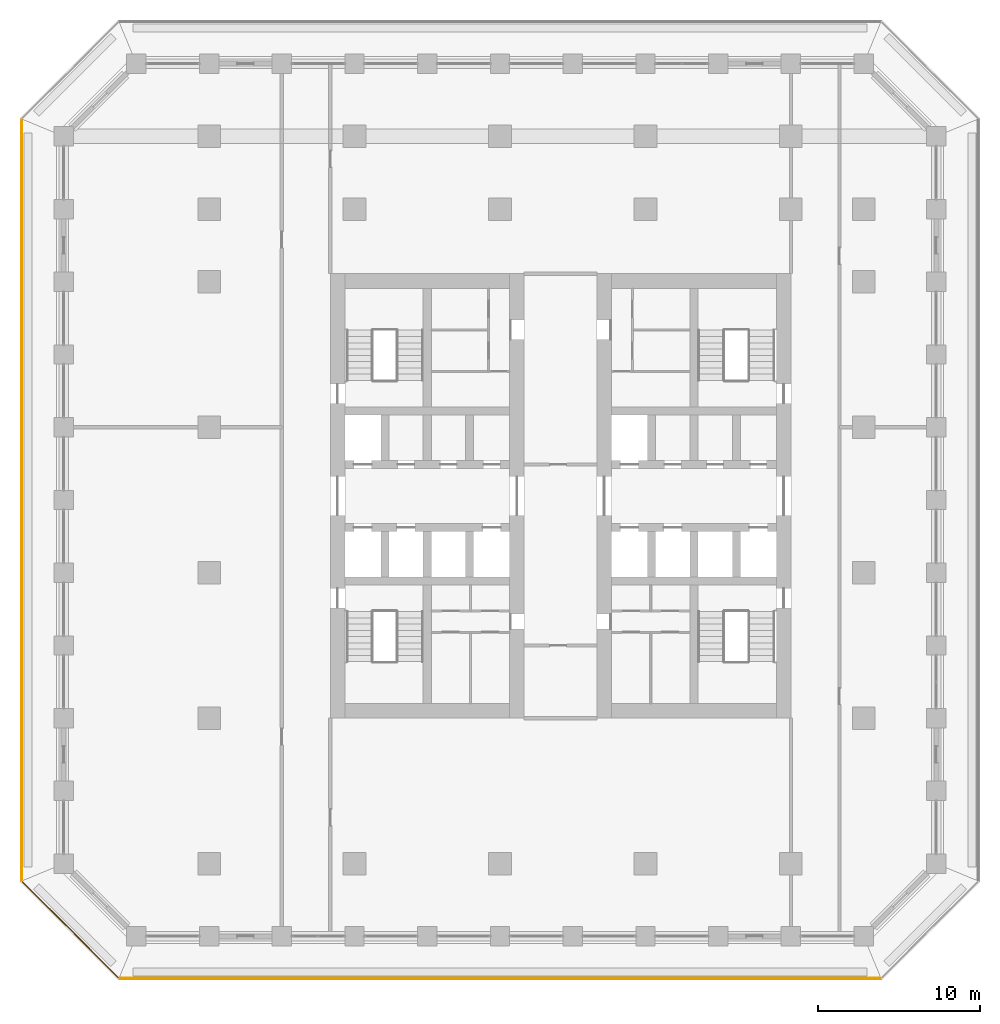
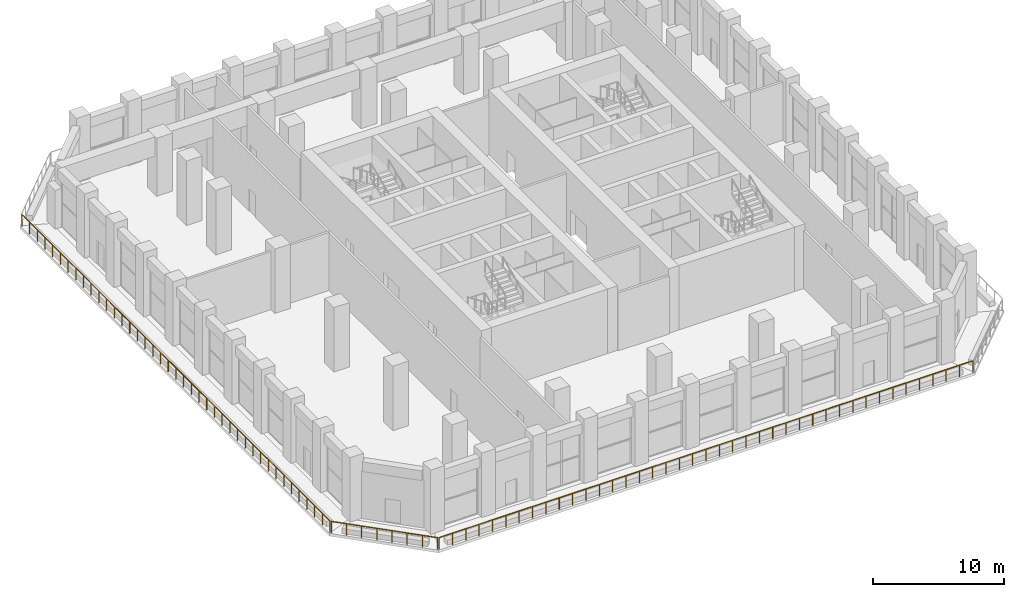
# One storey, part 17 of 24: 3 railings.
"""IFC4 building model written with IfcOpenShell, lengths in metres."""

import ifcopenshell
import ifcopenshell.guid

model = None  # the IFC model being written
_history = None  # IfcOwnerHistory: only IFC2X3 demands one
_inside = {}  # id of a spatial element -> (the spatial element, [elements in it])
_under = {}  # id of a project, library or spatial element -> (it, [spatial elements below it])
_declared = {}  # id of a project -> (the project, [libraries it declares])
_typed = {}  # id of a type object -> (the type object, [elements of that type])
_made_of = {}  # id of a material, layer set ... -> (it, [elements and type objects made of it])


def new_model(schema):
    """Start an empty IFC model of exactly this schema.

    Asked for "IFC4X3", IfcOpenShell would pick the latest addendum, in which some entities
    have other attributes; the version numbers below select the first issue.
    IFC2X3 requires an IfcOwnerHistory on every rooted entity: one is made here for all.
    """
    global model, _history
    if schema == "IFC4X3":
        model = ifcopenshell.file(schema_version=(4, 3, 0, 0))
    else:
        model = ifcopenshell.file(schema=schema)
    _inside.clear()
    _under.clear()
    _declared.clear()
    _typed.clear()
    _made_of.clear()
    _history = None
    if model.schema == "IFC2X3":
        org = make("IfcOrganization", Name="unknown")
        user = make(
            "IfcPersonAndOrganization",
            ThePerson=make("IfcPerson", FamilyName="unknown"),
            TheOrganization=org,
        )
        app = make(
            "IfcApplication",
            ApplicationDeveloper=org,
            Version="unknown",
            ApplicationFullName="unknown",
            ApplicationIdentifier="unknown",
        )
        _history = make(
            "IfcOwnerHistory",
            OwningUser=user,
            OwningApplication=app,
            ChangeAction="ADDED",
            CreationDate=0,
        )
    return model


def make(cls, **values):
    """One entity of the class cls with the attributes given. An attribute that is None is left unset."""
    return model.create_entity(
        cls, **{name: value for name, value in values.items() if value is not None}
    )


def rooted(cls, **values):
    """An entity with a GlobalId (a new one), such as an element, a storey or a relation."""
    return make(cls, GlobalId=ifcopenshell.guid.new(), OwnerHistory=_history, **values)


def si_unit(unit_type, name, prefix=None):
    """IfcSIUnit, for example si_unit("LENGTHUNIT", "METRE", prefix="MILLI")."""
    return make("IfcSIUnit", UnitType=unit_type, Prefix=prefix, Name=name)


def assignment(units):
    """IfcUnitAssignment: the units of a project."""
    return None if units is None else make("IfcUnitAssignment", Units=units)


def point(xyz):
    """IfcCartesianPoint."""
    return None if xyz is None else make("IfcCartesianPoint", Coordinates=xyz)


def direction(xyz):
    """IfcDirection."""
    return None if xyz is None else make("IfcDirection", DirectionRatios=xyz)


def frame(location, z_axis=None, x_axis=None):
    """IfcAxis2Placement3D, a coordinate frame: its origin and axes. An axis left out is left unset."""
    return make(
        "IfcAxis2Placement3D",
        Location=point(location),
        Axis=direction(z_axis),
        RefDirection=direction(x_axis),
    )


def frame_2d(location, x_axis=None):
    """IfcAxis2Placement2D, a coordinate frame in the plane: its origin and x axis."""
    return make(
        "IfcAxis2Placement2D", Location=point(location), RefDirection=direction(x_axis)
    )


def origin():
    """The frame at (0, 0, 0) with its axes left unset."""
    return frame((0.0, 0.0, 0.0))


def origin_2d():
    """The frame at (0, 0) in the plane with its x axis left unset."""
    return frame_2d((0.0, 0.0))


def place(relative_to, where):
    """IfcLocalPlacement: puts the frame where relative to a parent placement (None: the world)."""
    return make(
        "IfcLocalPlacement", PlacementRelTo=relative_to, RelativePlacement=where
    )


def context(
    kind, dimensions, precision=None, world=None, true_north=None, identifier=None
):
    """IfcGeometricRepresentationContext, for example the 3D "Model" context."""
    return make(
        "IfcGeometricRepresentationContext",
        ContextIdentifier=identifier,
        ContextType=kind,
        CoordinateSpaceDimension=dimensions,
        Precision=precision,
        WorldCoordinateSystem=world,
        TrueNorth=true_north,
    )


def subcontext(parent, identifier, kind, view, scale=None):
    """IfcGeometricRepresentationSubContext, for example "Body" below "Model"."""
    return make(
        "IfcGeometricRepresentationSubContext",
        ContextIdentifier=identifier,
        ContextType=kind,
        ParentContext=parent,
        TargetScale=scale,
        TargetView=view,
    )


def project(units=None, contexts=None):
    """IfcProject with its units and contexts."""
    return rooted(
        "IfcProject",
        Name="project",
        RepresentationContexts=contexts,
        UnitsInContext=assignment(units),
    )


def spatial(cls, under=None, at=None, **own):
    """A site, building, storey or space (cls), placed at a placement, below another one or the project."""
    s = rooted(cls, ObjectPlacement=at, **own)
    if under is not None:
        _under.setdefault(under.id(), (under, []))[1].append(s)
    return s


def profile(cls, at=None, kind="AREA", **sizes):
    """A parametric profile (cls). Its sizes go by their IFC names, for example OverallWidth=200.0."""
    return make(cls, ProfileType=kind, Position=at, **sizes)


def circle(**sizes):
    """IfcCircleProfileDef."""
    return profile("IfcCircleProfileDef", **sizes)


def extrude(swept, where, along, depth):
    """IfcExtrudedAreaSolid: the profile swept, set in the frame where, extruded along a direction by depth."""
    return make(
        "IfcExtrudedAreaSolid",
        SweptArea=swept,
        Position=where,
        ExtrudedDirection=direction(along),
        Depth=depth,
    )


def shape(context_of_items, identifier, shape_type, items):
    """IfcShapeRepresentation: the items that make up one representation, for example the "Body"."""
    return make(
        "IfcShapeRepresentation",
        ContextOfItems=context_of_items,
        RepresentationIdentifier=identifier,
        RepresentationType=shape_type,
        Items=items,
    )


def material(Name=None, Category=None):
    """IfcMaterial."""
    return make("IfcMaterial", Name=Name, Category=Category)


def made_of(thing, what):
    """Note that an element or type object is made of a material, layer set ...; save() writes the relation."""
    if what is not None:
        _made_of.setdefault(what.id(), (what, []))[1].append(thing)
    return thing


def type_object(cls, material=None, **own):
    """A type object (cls), such as IfcWallType, which elements share."""
    return made_of(rooted(cls, **own), material)


def element(
    cls,
    number,
    at=None,
    inside=None,
    cuts=None,
    type_object=None,
    material=None,
    context=None,
    identifier="Body",
    shape_type=None,
    held_by="IfcProductDefinitionShape",
    body=None,
    shapes=None,
    **own,
):
    """One element of the class cls, such as IfcWall. Its Tag is "e" and its number.

    at: its placement. inside: the storey or other place that contains it. cuts: it is an
    opening in that element (IfcRelVoidsElement). A single representation is given by context,
    identifier, shape_type and body (its items); several are given by shapes. held_by: the class
    of the entity that holds the representations. save() writes the other relations.
    """
    e = rooted(cls, Tag="e%d" % number, ObjectPlacement=at, **own)
    if body is not None:
        shapes = [shape(context, identifier, shape_type, body)]
    if shapes is not None:
        e.Representation = make(held_by, Representations=shapes)
    if inside is not None:
        _inside.setdefault(inside.id(), (inside, []))[1].append(e)
    if cuts is not None:
        rooted(
            "IfcRelVoidsElement", RelatingBuildingElement=cuts, RelatedOpeningElement=e
        )
    if type_object is not None:
        _typed.setdefault(type_object.id(), (type_object, []))[1].append(e)
    return made_of(e, material)


def aggregate(whole, parts):
    """IfcRelAggregates: a whole, such as a stair, and the parts it consists of."""
    return rooted("IfcRelAggregates", RelatingObject=whole, RelatedObjects=parts)


def save(model, path):
    """Write the relations noted so far, then the file.

    IfcRelAggregates (storeys below a building ...), IfcRelContainedInSpatialStructure (elements
    in a storey), IfcRelDefinesByType, IfcRelAssociatesMaterial and IfcRelDeclares: one each for
    every whole, place, type object, material and project.
    """
    for whole, parts in _under.values():
        aggregate(whole, parts)
    for where, things in _inside.values():
        rooted(
            "IfcRelContainedInSpatialStructure",
            RelatedElements=things,
            RelatingStructure=where,
        )
    for kind, things in _typed.values():
        rooted("IfcRelDefinesByType", RelatedObjects=things, RelatingType=kind)
    for what, things in _made_of.values():
        rooted("IfcRelAssociatesMaterial", RelatedObjects=things, RelatingMaterial=what)
    for by, libraries in _declared.values():
        rooted("IfcRelDeclares", RelatingContext=by, RelatedDefinitions=libraries)
    model.write(path)


model = new_model("IFC4")

# Units and contexts
model_context = context("Model", 3, precision=1e-05, world=origin(), true_north=direction((0.0, 1.0)))
body_context = subcontext(model_context, "Body", "Model", "MODEL_VIEW")
ifc_project = project(units=[si_unit("LENGTHUNIT", "METRE"), si_unit("AREAUNIT", "SQUARE_METRE"), si_unit("VOLUMEUNIT", "CUBIC_METRE"), si_unit("PLANEANGLEUNIT", "RADIAN"), si_unit("MASSUNIT", "GRAM", prefix="KILO")], contexts=[model_context])

# Site, building, storey
site_placement = place(None, origin())
site = spatial("IfcSite", under=ifc_project, at=site_placement, CompositionType="ELEMENT")
building_placement = place(site_placement, origin())
building = spatial("IfcBuilding", under=site, at=building_placement, Name="Corbel Stack Research Tower", CompositionType="ELEMENT")
storey_placement = place(building_placement, frame((0.0, 0.0, 145.39990234375)))
storey = spatial("IfcBuildingStorey", under=building, at=storey_placement, Name="L33", CompositionType="ELEMENT", Elevation=145.39990234375)

# Railings
ifc_material = material(Name="Powder-coated steel guard", Category="steel")
railing_type = type_object("IfcRailingType", Name="Steel and glass guard 1100", PredefinedType="GUARDRAIL", material=ifc_material)
railing_1_placement = place(storey_placement, frame((-23.50537109375, -25.10009765625, 0.0)))
element("IfcRailing", 1, at=railing_1_placement, inside=storey, type_object=railing_type, Name="Loggia guard L33 S", PredefinedType="GUARDRAIL", context=body_context, shape_type="SweptSolid", body=[
    extrude(circle(Radius=0.02392578125, at=origin_2d()), frame((0.0, 0.0, 1.076171875), z_axis=(1.0, 0.0, 0.0), x_axis=(0.0, 1.0, 0.0)), (0.0, 0.0, 1.0), 47.0107421875),
    extrude(circle(Radius=0.02099609375, at=origin_2d()), origin(), (0.0, 0.0, 1.0), 1.052001953125),
    extrude(circle(Radius=0.02099609375, at=origin_2d()), frame((1.17529296875, 0.0, 0.0)), (0.0, 0.0, 1.0), 1.052001953125),
    extrude(circle(Radius=0.02099609375, at=origin_2d()), frame((2.3505859375, 0.0, 0.0)), (0.0, 0.0, 1.0), 1.052001953125),
    extrude(circle(Radius=0.02099609375, at=origin_2d()), frame((3.52587890625, 0.0, 0.0)), (0.0, 0.0, 1.0), 1.052001953125),
    extrude(circle(Radius=0.02099609375, at=origin_2d()), frame((4.701171875, 0.0, 0.0)), (0.0, 0.0, 1.0), 1.052001953125),
    extrude(circle(Radius=0.02099609375, at=origin_2d()), frame((5.87646484375, 0.0, 0.0)), (0.0, 0.0, 1.0), 1.052001953125),
    extrude(circle(Radius=0.02099609375, at=origin_2d()), frame((7.051513671875, 0.0, 0.0)), (0.0, 0.0, 1.0), 1.052001953125),
    extrude(circle(Radius=0.02099609375, at=origin_2d()), frame((8.226806640625, 0.0, 0.0)), (0.0, 0.0, 1.0), 1.052001953125),
    extrude(circle(Radius=0.02099609375, at=origin_2d()), frame((9.402099609375, 0.0, 0.0)), (0.0, 0.0, 1.0), 1.052001953125),
    extrude(circle(Radius=0.02099609375, at=origin_2d()), frame((10.577392578125, 0.0, 0.0)), (0.0, 0.0, 1.0), 1.052001953125),
    extrude(circle(Radius=0.02099609375, at=origin_2d()), frame((11.752685546875, 0.0, 0.0)), (0.0, 0.0, 1.0), 1.052001953125),
    extrude(circle(Radius=0.02099609375, at=origin_2d()), frame((12.927978515625, 0.0, 0.0)), (0.0, 0.0, 1.0), 1.052001953125),
    extrude(circle(Radius=0.02099609375, at=origin_2d()), frame((14.103271484375, 0.0, 0.0)), (0.0, 0.0, 1.0), 1.052001953125),
    extrude(circle(Radius=0.02099609375, at=origin_2d()), frame((15.278564453125, 0.0, 0.0)), (0.0, 0.0, 1.0), 1.052001953125),
    extrude(circle(Radius=0.02099609375, at=origin_2d()), frame((16.453857421875, 0.0, 0.0)), (0.0, 0.0, 1.0), 1.052001953125),
    extrude(circle(Radius=0.02099609375, at=origin_2d()), frame((17.62890625, 0.0, 0.0)), (0.0, 0.0, 1.0), 1.052001953125),
    extrude(circle(Radius=0.02099609375, at=origin_2d()), frame((18.80419921875, 0.0, 0.0)), (0.0, 0.0, 1.0), 1.052001953125),
    extrude(circle(Radius=0.02099609375, at=origin_2d()), frame((19.9794921875, 0.0, 0.0)), (0.0, 0.0, 1.0), 1.052001953125),
    extrude(circle(Radius=0.02099609375, at=origin_2d()), frame((21.15478515625, 0.0, 0.0)), (0.0, 0.0, 1.0), 1.052001953125),
    extrude(circle(Radius=0.02099609375, at=origin_2d()), frame((22.330078125, 0.0, 0.0)), (0.0, 0.0, 1.0), 1.052001953125),
    extrude(circle(Radius=0.02099609375, at=origin_2d()), frame((23.50537109375, 0.0, 0.0)), (0.0, 0.0, 1.0), 1.052001953125),
    extrude(circle(Radius=0.02099609375, at=origin_2d()), frame((24.6806640625, 0.0, 0.0)), (0.0, 0.0, 1.0), 1.052001953125),
    extrude(circle(Radius=0.02099609375, at=origin_2d()), frame((25.85595703125, 0.0, 0.0)), (0.0, 0.0, 1.0), 1.052001953125),
    extrude(circle(Radius=0.02099609375, at=origin_2d()), frame((27.03125, 0.0, 0.0)), (0.0, 0.0, 1.0), 1.052001953125),
    extrude(circle(Radius=0.02099609375, at=origin_2d()), frame((28.20654296875, 0.0, 0.0)), (0.0, 0.0, 1.0), 1.052001953125),
    extrude(circle(Radius=0.02099609375, at=origin_2d()), frame((29.3818359375, 0.0, 0.0)), (0.0, 0.0, 1.0), 1.052001953125),
    extrude(circle(Radius=0.02099609375, at=origin_2d()), frame((30.556884765625, 0.0, 0.0)), (0.0, 0.0, 1.0), 1.052001953125),
    extrude(circle(Radius=0.02099609375, at=origin_2d()), frame((31.732177734375, 0.0, 0.0)), (0.0, 0.0, 1.0), 1.052001953125),
    extrude(circle(Radius=0.02099609375, at=origin_2d()), frame((32.907470703125, 0.0, 0.0)), (0.0, 0.0, 1.0), 1.052001953125),
    extrude(circle(Radius=0.02099609375, at=origin_2d()), frame((34.082763671875, 0.0, 0.0)), (0.0, 0.0, 1.0), 1.052001953125),
    extrude(circle(Radius=0.02099609375, at=origin_2d()), frame((35.258056640625, 0.0, 0.0)), (0.0, 0.0, 1.0), 1.052001953125),
    extrude(circle(Radius=0.02099609375, at=origin_2d()), frame((36.433349609375, 0.0, 0.0)), (0.0, 0.0, 1.0), 1.052001953125),
    extrude(circle(Radius=0.02099609375, at=origin_2d()), frame((37.608642578125, 0.0, 0.0)), (0.0, 0.0, 1.0), 1.052001953125),
    extrude(circle(Radius=0.02099609375, at=origin_2d()), frame((38.783935546875, 0.0, 0.0)), (0.0, 0.0, 1.0), 1.052001953125),
    extrude(circle(Radius=0.02099609375, at=origin_2d()), frame((39.959228515625, 0.0, 0.0)), (0.0, 0.0, 1.0), 1.052001953125),
    extrude(circle(Radius=0.02099609375, at=origin_2d()), frame((41.13427734375, 0.0, 0.0)), (0.0, 0.0, 1.0), 1.052001953125),
    extrude(circle(Radius=0.02099609375, at=origin_2d()), frame((42.3095703125, 0.0, 0.0)), (0.0, 0.0, 1.0), 1.052001953125),
    extrude(circle(Radius=0.02099609375, at=origin_2d()), frame((43.48486328125, 0.0, 0.0)), (0.0, 0.0, 1.0), 1.052001953125),
    extrude(circle(Radius=0.02099609375, at=origin_2d()), frame((44.66015625, 0.0, 0.0)), (0.0, 0.0, 1.0), 1.052001953125),
    extrude(circle(Radius=0.02099609375, at=origin_2d()), frame((45.83544921875, 0.0, 0.0)), (0.0, 0.0, 1.0), 1.052001953125),
    extrude(circle(Radius=0.02099609375, at=origin_2d()), frame((47.0107421875, 0.0, 0.0)), (0.0, 0.0, 1.0), 1.052001953125),
])
railing_2_placement = place(storey_placement, frame((-29.60009765625, 28.00537109375, 0.0)))
element("IfcRailing", 2, at=railing_2_placement, inside=storey, type_object=railing_type, Name="Loggia guard L33 W", PredefinedType="GUARDRAIL", context=body_context, shape_type="SweptSolid", body=[
    extrude(circle(Radius=0.02392578125, at=origin_2d()), frame((0.0, 0.0, 1.076171875), z_axis=(0.0, -1.0, 0.0), x_axis=(1.0, 0.0, 0.0)), (0.0, 0.0, 1.0), 47.0107421875),
    extrude(circle(Radius=0.02099609375, at=origin_2d()), origin(), (0.0, 0.0, 1.0), 1.052001953125),
    extrude(circle(Radius=0.02099609375, at=origin_2d()), frame((0.0, -1.17529296875, 0.0)), (0.0, 0.0, 1.0), 1.052001953125),
    extrude(circle(Radius=0.02099609375, at=origin_2d()), frame((0.0, -2.3505859375, 0.0)), (0.0, 0.0, 1.0), 1.052001953125),
    extrude(circle(Radius=0.02099609375, at=origin_2d()), frame((0.0, -3.52587890625, 0.0)), (0.0, 0.0, 1.0), 1.052001953125),
    extrude(circle(Radius=0.02099609375, at=origin_2d()), frame((0.0, -4.701171875, 0.0)), (0.0, 0.0, 1.0), 1.052001953125),
    extrude(circle(Radius=0.02099609375, at=origin_2d()), frame((0.0, -5.87646484375, 0.0)), (0.0, 0.0, 1.0), 1.052001953125),
    extrude(circle(Radius=0.02099609375, at=origin_2d()), frame((0.0, -7.051513671875, 0.0)), (0.0, 0.0, 1.0), 1.052001953125),
    extrude(circle(Radius=0.02099609375, at=origin_2d()), frame((0.0, -8.226806640625, 0.0)), (0.0, 0.0, 1.0), 1.052001953125),
    extrude(circle(Radius=0.02099609375, at=origin_2d()), frame((0.0, -9.402099609375, 0.0)), (0.0, 0.0, 1.0), 1.052001953125),
    extrude(circle(Radius=0.02099609375, at=origin_2d()), frame((0.0, -10.577392578125, 0.0)), (0.0, 0.0, 1.0), 1.052001953125),
    extrude(circle(Radius=0.02099609375, at=origin_2d()), frame((0.0, -11.752685546875, 0.0)), (0.0, 0.0, 1.0), 1.052001953125),
    extrude(circle(Radius=0.02099609375, at=origin_2d()), frame((0.0, -12.927978515625, 0.0)), (0.0, 0.0, 1.0), 1.052001953125),
    extrude(circle(Radius=0.02099609375, at=origin_2d()), frame((0.0, -14.103271484375, 0.0)), (0.0, 0.0, 1.0), 1.052001953125),
    extrude(circle(Radius=0.02099609375, at=origin_2d()), frame((0.0, -15.278564453125, 0.0)), (0.0, 0.0, 1.0), 1.052001953125),
    extrude(circle(Radius=0.02099609375, at=origin_2d()), frame((0.0, -16.453857421875, 0.0)), (0.0, 0.0, 1.0), 1.052001953125),
    extrude(circle(Radius=0.02099609375, at=origin_2d()), frame((0.0, -17.62890625, 0.0)), (0.0, 0.0, 1.0), 1.052001953125),
    extrude(circle(Radius=0.02099609375, at=origin_2d()), frame((0.0, -18.80419921875, 0.0)), (0.0, 0.0, 1.0), 1.052001953125),
    extrude(circle(Radius=0.02099609375, at=origin_2d()), frame((0.0, -19.9794921875, 0.0)), (0.0, 0.0, 1.0), 1.052001953125),
    extrude(circle(Radius=0.02099609375, at=origin_2d()), frame((0.0, -21.15478515625, 0.0)), (0.0, 0.0, 1.0), 1.052001953125),
    extrude(circle(Radius=0.02099609375, at=origin_2d()), frame((0.0, -22.330078125, 0.0)), (0.0, 0.0, 1.0), 1.052001953125),
    extrude(circle(Radius=0.02099609375, at=origin_2d()), frame((0.0, -23.50537109375, 0.0)), (0.0, 0.0, 1.0), 1.052001953125),
    extrude(circle(Radius=0.02099609375, at=origin_2d()), frame((0.0, -24.6806640625, 0.0)), (0.0, 0.0, 1.0), 1.052001953125),
    extrude(circle(Radius=0.02099609375, at=origin_2d()), frame((0.0, -25.85595703125, 0.0)), (0.0, 0.0, 1.0), 1.052001953125),
    extrude(circle(Radius=0.02099609375, at=origin_2d()), frame((0.0, -27.03125, 0.0)), (0.0, 0.0, 1.0), 1.052001953125),
    extrude(circle(Radius=0.02099609375, at=origin_2d()), frame((0.0, -28.20654296875, 0.0)), (0.0, 0.0, 1.0), 1.052001953125),
    extrude(circle(Radius=0.02099609375, at=origin_2d()), frame((0.0, -29.3818359375, 0.0)), (0.0, 0.0, 1.0), 1.052001953125),
    extrude(circle(Radius=0.02099609375, at=origin_2d()), frame((0.0, -30.556884765625, 0.0)), (0.0, 0.0, 1.0), 1.052001953125),
    extrude(circle(Radius=0.02099609375, at=origin_2d()), frame((0.0, -31.732177734375, 0.0)), (0.0, 0.0, 1.0), 1.052001953125),
    extrude(circle(Radius=0.02099609375, at=origin_2d()), frame((0.0, -32.907470703125, 0.0)), (0.0, 0.0, 1.0), 1.052001953125),
    extrude(circle(Radius=0.02099609375, at=origin_2d()), frame((0.0, -34.082763671875, 0.0)), (0.0, 0.0, 1.0), 1.052001953125),
    extrude(circle(Radius=0.02099609375, at=origin_2d()), frame((0.0, -35.258056640625, 0.0)), (0.0, 0.0, 1.0), 1.052001953125),
    extrude(circle(Radius=0.02099609375, at=origin_2d()), frame((0.0, -36.433349609375, 0.0)), (0.0, 0.0, 1.0), 1.052001953125),
    extrude(circle(Radius=0.02099609375, at=origin_2d()), frame((0.0, -37.608642578125, 0.0)), (0.0, 0.0, 1.0), 1.052001953125),
    extrude(circle(Radius=0.02099609375, at=origin_2d()), frame((0.0, -38.783935546875, 0.0)), (0.0, 0.0, 1.0), 1.052001953125),
    extrude(circle(Radius=0.02099609375, at=origin_2d()), frame((0.0, -39.959228515625, 0.0)), (0.0, 0.0, 1.0), 1.052001953125),
    extrude(circle(Radius=0.02099609375, at=origin_2d()), frame((0.0, -41.13427734375, 0.0)), (0.0, 0.0, 1.0), 1.052001953125),
    extrude(circle(Radius=0.02099609375, at=origin_2d()), frame((0.0, -42.3095703125, 0.0)), (0.0, 0.0, 1.0), 1.052001953125),
    extrude(circle(Radius=0.02099609375, at=origin_2d()), frame((0.0, -43.48486328125, 0.0)), (0.0, 0.0, 1.0), 1.052001953125),
    extrude(circle(Radius=0.02099609375, at=origin_2d()), frame((0.0, -44.66015625, 0.0)), (0.0, 0.0, 1.0), 1.052001953125),
    extrude(circle(Radius=0.02099609375, at=origin_2d()), frame((0.0, -45.83544921875, 0.0)), (0.0, 0.0, 1.0), 1.052001953125),
    extrude(circle(Radius=0.02099609375, at=origin_2d()), frame((0.0, -47.0107421875, 0.0)), (0.0, 0.0, 1.0), 1.052001953125),
])
railing_3_placement = place(storey_placement, frame((-29.54931640625, -19.127685546875, 0.0)))
element("IfcRailing", 3, at=railing_3_placement, inside=storey, type_object=railing_type, Name="Loggia guard L33 SW", PredefinedType="GUARDRAIL", context=body_context, shape_type="SweptSolid", body=[
    extrude(circle(Radius=0.02392578125, at=origin_2d()), frame((0.0, 0.0, 1.076171875), z_axis=(0.707106781187, -0.707106781187, 0.0), x_axis=(0.707106781187, 0.707106781187, 0.0)), (0.0, 0.0, 1.0), 8.37451171875),
    extrude(circle(Radius=0.02099609375, at=origin_2d()), origin(), (0.0, 0.0, 1.0), 1.052001953125),
    extrude(circle(Radius=0.02099609375, at=origin_2d()), frame((0.845947265625, -0.845947265625, 0.0)), (0.0, 0.0, 1.0), 1.052001953125),
    extrude(circle(Radius=0.02099609375, at=origin_2d()), frame((1.69189453125, -1.69189453125, 0.0)), (0.0, 0.0, 1.0), 1.052001953125),
    extrude(circle(Radius=0.02099609375, at=origin_2d()), frame((2.537841796875, -2.537841796875, 0.0)), (0.0, 0.0, 1.0), 1.052001953125),
    extrude(circle(Radius=0.02099609375, at=origin_2d()), frame((3.3837890625, -3.3837890625, 0.0)), (0.0, 0.0, 1.0), 1.052001953125),
    extrude(circle(Radius=0.02099609375, at=origin_2d()), frame((4.229736328125, -4.229736328125, 0.0)), (0.0, 0.0, 1.0), 1.052001953125),
    extrude(circle(Radius=0.02099609375, at=origin_2d()), frame((5.07568359375, -5.07568359375, 0.0)), (0.0, 0.0, 1.0), 1.052001953125),
    extrude(circle(Radius=0.02099609375, at=origin_2d()), frame((5.921630859375, -5.921630859375, 0.0)), (0.0, 0.0, 1.0), 1.052001953125),
])

save(model, "model.ifc")
